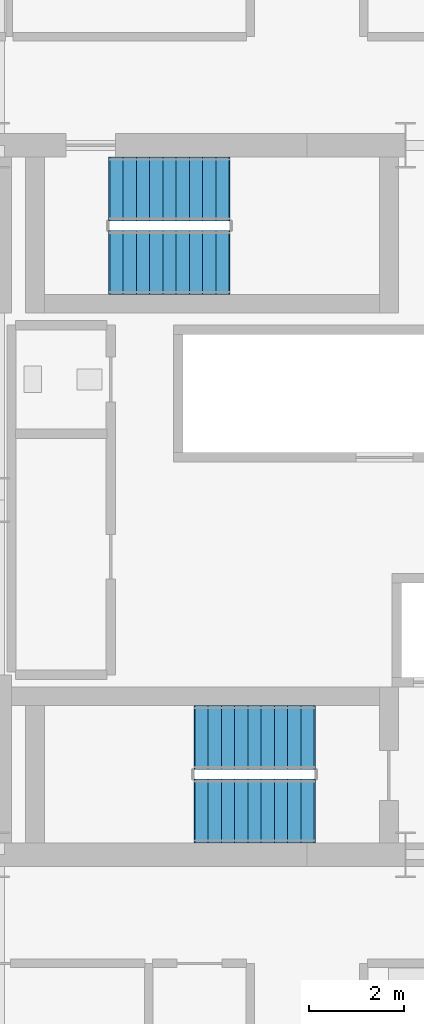
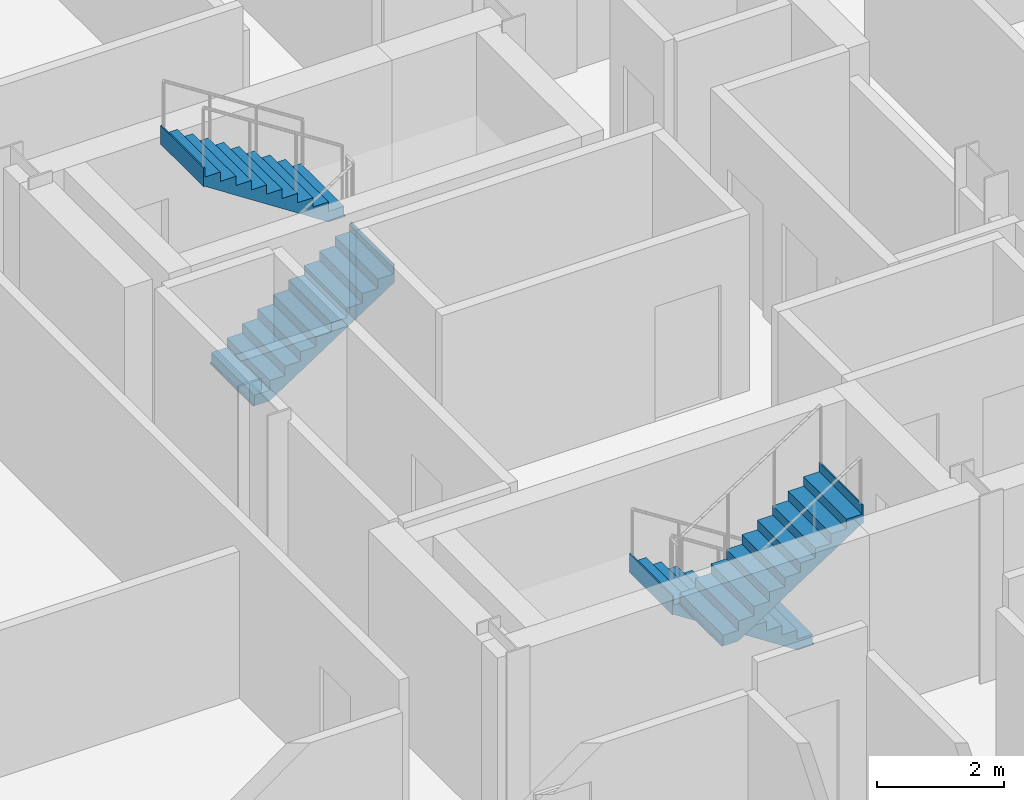
# One storey, part 18 of 20: 4 stair flights, 2 elements without a shape of their own.
"""IFC4 building model written with IfcOpenShell, lengths in metres."""

import ifcopenshell
import ifcopenshell.guid

model = None  # the IFC model being written
_history = None  # IfcOwnerHistory: only IFC2X3 demands one
_inside = {}  # id of a spatial element -> (the spatial element, [elements in it])
_under = {}  # id of a project, library or spatial element -> (it, [spatial elements below it])
_declared = {}  # id of a project -> (the project, [libraries it declares])
_typed = {}  # id of a type object -> (the type object, [elements of that type])
_made_of = {}  # id of a material, layer set ... -> (it, [elements and type objects made of it])


def new_model(schema):
    """Start an empty IFC model of exactly this schema.

    Asked for "IFC4X3", IfcOpenShell would pick the latest addendum, in which some entities
    have other attributes; the version numbers below select the first issue.
    IFC2X3 requires an IfcOwnerHistory on every rooted entity: one is made here for all.
    """
    global model, _history
    if schema == "IFC4X3":
        model = ifcopenshell.file(schema_version=(4, 3, 0, 0))
    else:
        model = ifcopenshell.file(schema=schema)
    _inside.clear()
    _under.clear()
    _declared.clear()
    _typed.clear()
    _made_of.clear()
    _history = None
    if model.schema == "IFC2X3":
        org = make("IfcOrganization", Name="unknown")
        user = make(
            "IfcPersonAndOrganization",
            ThePerson=make("IfcPerson", FamilyName="unknown"),
            TheOrganization=org,
        )
        app = make(
            "IfcApplication",
            ApplicationDeveloper=org,
            Version="unknown",
            ApplicationFullName="unknown",
            ApplicationIdentifier="unknown",
        )
        _history = make(
            "IfcOwnerHistory",
            OwningUser=user,
            OwningApplication=app,
            ChangeAction="ADDED",
            CreationDate=0,
        )
    return model


def make(cls, **values):
    """One entity of the class cls with the attributes given. An attribute that is None is left unset."""
    return model.create_entity(
        cls, **{name: value for name, value in values.items() if value is not None}
    )


def rooted(cls, **values):
    """An entity with a GlobalId (a new one), such as an element, a storey or a relation."""
    return make(cls, GlobalId=ifcopenshell.guid.new(), OwnerHistory=_history, **values)


def si_unit(unit_type, name, prefix=None):
    """IfcSIUnit, for example si_unit("LENGTHUNIT", "METRE", prefix="MILLI")."""
    return make("IfcSIUnit", UnitType=unit_type, Prefix=prefix, Name=name)


def assignment(units):
    """IfcUnitAssignment: the units of a project."""
    return None if units is None else make("IfcUnitAssignment", Units=units)


def point(xyz):
    """IfcCartesianPoint."""
    return None if xyz is None else make("IfcCartesianPoint", Coordinates=xyz)


def direction(xyz):
    """IfcDirection."""
    return None if xyz is None else make("IfcDirection", DirectionRatios=xyz)


def frame(location, z_axis=None, x_axis=None):
    """IfcAxis2Placement3D, a coordinate frame: its origin and axes. An axis left out is left unset."""
    return make(
        "IfcAxis2Placement3D",
        Location=point(location),
        Axis=direction(z_axis),
        RefDirection=direction(x_axis),
    )


def origin():
    """The frame at (0, 0, 0) with its axes left unset."""
    return frame((0.0, 0.0, 0.0))


def place(relative_to, where):
    """IfcLocalPlacement: puts the frame where relative to a parent placement (None: the world)."""
    return make(
        "IfcLocalPlacement", PlacementRelTo=relative_to, RelativePlacement=where
    )


def context(
    kind, dimensions, precision=None, world=None, true_north=None, identifier=None
):
    """IfcGeometricRepresentationContext, for example the 3D "Model" context."""
    return make(
        "IfcGeometricRepresentationContext",
        ContextIdentifier=identifier,
        ContextType=kind,
        CoordinateSpaceDimension=dimensions,
        Precision=precision,
        WorldCoordinateSystem=world,
        TrueNorth=true_north,
    )


def subcontext(parent, identifier, kind, view, scale=None):
    """IfcGeometricRepresentationSubContext, for example "Body" below "Model"."""
    return make(
        "IfcGeometricRepresentationSubContext",
        ContextIdentifier=identifier,
        ContextType=kind,
        ParentContext=parent,
        TargetScale=scale,
        TargetView=view,
    )


def project(units=None, contexts=None):
    """IfcProject with its units and contexts."""
    return rooted(
        "IfcProject",
        Name="project",
        RepresentationContexts=contexts,
        UnitsInContext=assignment(units),
    )


def spatial(cls, under=None, at=None, **own):
    """A site, building, storey or space (cls), placed at a placement, below another one or the project."""
    s = rooted(cls, ObjectPlacement=at, **own)
    if under is not None:
        _under.setdefault(under.id(), (under, []))[1].append(s)
    return s


def polyline(points):
    """IfcPolyline through the points."""
    return make("IfcPolyline", Points=[point(p) for p in points])


def outline(outer, holes=None, kind="AREA"):
    """IfcArbitraryClosedProfileDef: a profile drawn as a closed curve; with holes, ...WithVoids."""
    if holes is None:
        return make("IfcArbitraryClosedProfileDef", ProfileType=kind, OuterCurve=outer)
    return make(
        "IfcArbitraryProfileDefWithVoids",
        ProfileType=kind,
        OuterCurve=outer,
        InnerCurves=holes,
    )


def extrude(swept, where, along, depth):
    """IfcExtrudedAreaSolid: the profile swept, set in the frame where, extruded along a direction by depth."""
    return make(
        "IfcExtrudedAreaSolid",
        SweptArea=swept,
        Position=where,
        ExtrudedDirection=direction(along),
        Depth=depth,
    )


def shape(context_of_items, identifier, shape_type, items):
    """IfcShapeRepresentation: the items that make up one representation, for example the "Body"."""
    return make(
        "IfcShapeRepresentation",
        ContextOfItems=context_of_items,
        RepresentationIdentifier=identifier,
        RepresentationType=shape_type,
        Items=items,
    )


def material(Name=None, Category=None):
    """IfcMaterial."""
    return make("IfcMaterial", Name=Name, Category=Category)


def made_of(thing, what):
    """Note that an element or type object is made of a material, layer set ...; save() writes the relation."""
    if what is not None:
        _made_of.setdefault(what.id(), (what, []))[1].append(thing)
    return thing


def type_object(cls, material=None, **own):
    """A type object (cls), such as IfcWallType, which elements share."""
    return made_of(rooted(cls, **own), material)


def element(
    cls,
    number,
    at=None,
    inside=None,
    cuts=None,
    type_object=None,
    material=None,
    context=None,
    identifier="Body",
    shape_type=None,
    held_by="IfcProductDefinitionShape",
    body=None,
    shapes=None,
    **own,
):
    """One element of the class cls, such as IfcWall. Its Tag is "e" and its number.

    at: its placement. inside: the storey or other place that contains it. cuts: it is an
    opening in that element (IfcRelVoidsElement). A single representation is given by context,
    identifier, shape_type and body (its items); several are given by shapes. held_by: the class
    of the entity that holds the representations. save() writes the other relations.
    """
    e = rooted(cls, Tag="e%d" % number, ObjectPlacement=at, **own)
    if body is not None:
        shapes = [shape(context, identifier, shape_type, body)]
    if shapes is not None:
        e.Representation = make(held_by, Representations=shapes)
    if inside is not None:
        _inside.setdefault(inside.id(), (inside, []))[1].append(e)
    if cuts is not None:
        rooted(
            "IfcRelVoidsElement", RelatingBuildingElement=cuts, RelatedOpeningElement=e
        )
    if type_object is not None:
        _typed.setdefault(type_object.id(), (type_object, []))[1].append(e)
    return made_of(e, material)


def aggregate(whole, parts):
    """IfcRelAggregates: a whole, such as a stair, and the parts it consists of."""
    return rooted("IfcRelAggregates", RelatingObject=whole, RelatedObjects=parts)


def save(model, path):
    """Write the relations noted so far, then the file.

    IfcRelAggregates (storeys below a building ...), IfcRelContainedInSpatialStructure (elements
    in a storey), IfcRelDefinesByType, IfcRelAssociatesMaterial and IfcRelDeclares: one each for
    every whole, place, type object, material and project.
    """
    for whole, parts in _under.values():
        aggregate(whole, parts)
    for where, things in _inside.values():
        rooted(
            "IfcRelContainedInSpatialStructure",
            RelatedElements=things,
            RelatingStructure=where,
        )
    for kind, things in _typed.values():
        rooted("IfcRelDefinesByType", RelatedObjects=things, RelatingType=kind)
    for what, things in _made_of.values():
        rooted("IfcRelAssociatesMaterial", RelatedObjects=things, RelatingMaterial=what)
    for by, libraries in _declared.values():
        rooted("IfcRelDeclares", RelatingContext=by, RelatedDefinitions=libraries)
    model.write(path)


model = new_model("IFC4")

# Units and contexts
model_context = context("Model", 3, precision=1e-05, world=origin(), true_north=direction((0.0, 1.0)))
body_context = subcontext(model_context, "Body", "Model", "MODEL_VIEW")
ifc_project = project(units=[si_unit("LENGTHUNIT", "METRE"), si_unit("AREAUNIT", "SQUARE_METRE"), si_unit("VOLUMEUNIT", "CUBIC_METRE"), si_unit("PLANEANGLEUNIT", "RADIAN"), si_unit("MASSUNIT", "GRAM", prefix="KILO")], contexts=[model_context])

# Site, building, storey
site_placement = place(None, origin())
site = spatial("IfcSite", under=ifc_project, at=site_placement, CompositionType="ELEMENT")
building_placement = place(site_placement, origin())
building = spatial("IfcBuilding", under=site, at=building_placement, Name="Barlavira Tower and Art Museum", CompositionType="ELEMENT")
storey_placement = place(building_placement, frame((0.0, 0.0, 147.60009765625)))
storey = spatial("IfcBuildingStorey", under=building, at=storey_placement, Name="L37", CompositionType="ELEMENT", Elevation=147.60009765625)

# Stair, stair flights
ifc_material_1 = material(Name="Concrete C45", Category="concrete")
stair_type_1 = type_object("IfcStairType", Name="Tower North Dog-Leg Exit Stair Assembly Concrete C45", PredefinedType="TWO_QUARTER_TURN_STAIR", material=ifc_material_1)
stair_1_placement = place(storey_placement, origin())
stair_1 = element("IfcStair", 1, at=stair_1_placement, inside=storey, type_object=stair_type_1, Name="L37 Tower North Exit Stair ST-T2", PredefinedType="TWO_QUARTER_TURN_STAIR")
ifc_material_2 = material(Name="Precast concrete C45", Category="concrete")
stair_flight_type_1 = type_object("IfcStairFlightType", Name="Tower North Dog-Leg Exit Stair Precast Flight 1350 Concrete C45", PredefinedType="STRAIGHT", material=ifc_material_2)
stair_flight_1_placement = place(storey_placement, frame((-4.169921875, 5.02490234375, 0.0), z_axis=(0.0, 0.0, 1.0), x_axis=(1.0, 0.0, 0.0)))
stair_flight_1 = element("IfcStairFlight", 2, at=stair_flight_1_placement, type_object=stair_flight_type_1, Name="ST-T2 flight 1", NumberOfRisers=10, NumberOfTreads=9, PredefinedType="STRAIGHT", RiserHeight=0.18, TreadLength=0.28, context=body_context, shape_type="SweptSolid", body=[
    extrude(outline(polyline([(-0.02490234375, 0.0), (0.0, 0.0), (0.0, 0.179931640625), (0.280029296875, 0.179931640625), (0.280029296875, 0.360107421875), (0.56005859375, 0.360107421875), (0.56005859375, 0.5400390625), (0.840087890625, 0.5400390625), (0.840087890625, 0.719970703125), (1.1201171875, 0.719970703125), (1.1201171875, 0.89990234375), (1.39990234375, 0.89990234375), (1.39990234375, 1.080078125), (1.679931640625, 1.080078125), (1.679931640625, 1.260009765625), (1.9599609375, 1.260009765625), (1.9599609375, 1.43994140625), (2.239990234375, 1.43994140625), (2.239990234375, 1.6201171875), (2.52001953125, 1.6201171875), (2.52001953125, 1.800048828125), (2.544921875, 1.800048828125), (2.544921875, 1.44189453125), (2.52001953125, 1.44189453125), (0.277099609375, -0.02490234375), (-0.02490234375, -0.02490234375), (-0.02490234375, 0.0)])), frame((0.0, 0.675048828125, 0.0), z_axis=(0.0, -1.0, 0.0), x_axis=(1.0, 0.0, 0.0)), (0.0, 0.0, 1.0), 1.35009765625),
])
stair_flight_2_placement = place(storey_placement, frame((-1.64990234375, 6.574951171875, 1.7998046875), z_axis=(0.0, 0.0, 1.0), x_axis=(-1.0, 0.0, 0.0)))
stair_flight_2 = element("IfcStairFlight", 3, at=stair_flight_2_placement, type_object=stair_flight_type_1, Name="ST-T2 flight 2", NumberOfRisers=10, NumberOfTreads=9, PredefinedType="STRAIGHT", RiserHeight=0.18, TreadLength=0.28, context=body_context, shape_type="SweptSolid", body=[
    extrude(outline(polyline([(-0.02490234375, 0.0), (0.0, 0.0), (0.0, 0.179931640625), (0.280029296875, 0.179931640625), (0.280029296875, 0.360107421875), (0.56005859375, 0.360107421875), (0.56005859375, 0.5400390625), (0.840087890625, 0.5400390625), (0.840087890625, 0.719970703125), (1.1201171875, 0.719970703125), (1.1201171875, 0.89990234375), (1.39990234375, 0.89990234375), (1.39990234375, 1.080078125), (1.679931640625, 1.080078125), (1.679931640625, 1.260009765625), (1.9599609375, 1.260009765625), (1.9599609375, 1.43994140625), (2.239990234375, 1.43994140625), (2.239990234375, 1.6201171875), (2.52001953125, 1.6201171875), (2.52001953125, 1.800048828125), (2.544921875, 1.800048828125), (2.544921875, 1.44189453125), (2.52001953125, 1.44189453125), (0.277099609375, -0.02490234375), (-0.02490234375, -0.02490234375), (-0.02490234375, 0.0)])), frame((0.0, 0.675048828125, 0.0), z_axis=(0.0, -1.0, 0.0), x_axis=(1.0, 0.0, 0.0)), (0.0, 0.0, 1.0), 1.35009765625),
])
aggregate(stair_1, [stair_flight_1, stair_flight_2])

stair_type_2 = type_object("IfcStairType", Name="Tower South Dog-Leg Exit Stair Assembly Concrete C45", PredefinedType="TWO_QUARTER_TURN_STAIR", material=ifc_material_1)
stair_2_placement = place(storey_placement, origin())
stair_2 = element("IfcStair", 4, at=stair_2_placement, inside=storey, type_object=stair_type_2, Name="L37 Tower South Exit Stair ST-T1", PredefinedType="TWO_QUARTER_TURN_STAIR")
stair_flight_type_2 = type_object("IfcStairFlightType", Name="Tower South Dog-Leg Exit Stair Precast Flight 1350 Concrete C45", PredefinedType="STRAIGHT", material=ifc_material_2)
stair_flight_3_placement = place(storey_placement, frame((0.14990234375, -5.02490234375, 0.0), z_axis=(0.0, 0.0, 1.0), x_axis=(-1.0, 0.0, 0.0)))
stair_flight_3 = element("IfcStairFlight", 5, at=stair_flight_3_placement, type_object=stair_flight_type_2, Name="ST-T1 flight 1", NumberOfRisers=10, NumberOfTreads=9, PredefinedType="STRAIGHT", RiserHeight=0.18, TreadLength=0.28, context=body_context, shape_type="SweptSolid", body=[
    extrude(outline(polyline([(-0.02490234375, 0.0), (0.0, 0.0), (0.0, 0.179931640625), (0.280029296875, 0.179931640625), (0.280029296875, 0.360107421875), (0.56005859375, 0.360107421875), (0.56005859375, 0.5400390625), (0.840087890625, 0.5400390625), (0.840087890625, 0.719970703125), (1.1201171875, 0.719970703125), (1.1201171875, 0.89990234375), (1.39990234375, 0.89990234375), (1.39990234375, 1.080078125), (1.679931640625, 1.080078125), (1.679931640625, 1.260009765625), (1.9599609375, 1.260009765625), (1.9599609375, 1.43994140625), (2.239990234375, 1.43994140625), (2.239990234375, 1.6201171875), (2.52001953125, 1.6201171875), (2.52001953125, 1.800048828125), (2.544921875, 1.800048828125), (2.544921875, 1.44189453125), (2.52001953125, 1.44189453125), (0.277099609375, -0.02490234375), (-0.02490234375, -0.02490234375), (-0.02490234375, 0.0)])), frame((0.0, 0.675048828125, 0.0), z_axis=(0.0, -1.0, 0.0), x_axis=(1.0, 0.0, 0.0)), (0.0, 0.0, 1.0), 1.35009765625),
])
stair_flight_4_placement = place(storey_placement, frame((-2.3701171875, -6.574951171875, 1.7998046875), z_axis=(0.0, 0.0, 1.0), x_axis=(1.0, 0.0, 0.0)))
stair_flight_4 = element("IfcStairFlight", 6, at=stair_flight_4_placement, type_object=stair_flight_type_2, Name="ST-T1 flight 2", NumberOfRisers=10, NumberOfTreads=9, PredefinedType="STRAIGHT", RiserHeight=0.18, TreadLength=0.28, context=body_context, shape_type="SweptSolid", body=[
    extrude(outline(polyline([(-0.02490234375, 0.0), (0.0, 0.0), (0.0, 0.179931640625), (0.280029296875, 0.179931640625), (0.280029296875, 0.360107421875), (0.56005859375, 0.360107421875), (0.56005859375, 0.5400390625), (0.840087890625, 0.5400390625), (0.840087890625, 0.719970703125), (1.1201171875, 0.719970703125), (1.1201171875, 0.89990234375), (1.39990234375, 0.89990234375), (1.39990234375, 1.080078125), (1.679931640625, 1.080078125), (1.679931640625, 1.260009765625), (1.9599609375, 1.260009765625), (1.9599609375, 1.43994140625), (2.239990234375, 1.43994140625), (2.239990234375, 1.6201171875), (2.52001953125, 1.6201171875), (2.52001953125, 1.800048828125), (2.544921875, 1.800048828125), (2.544921875, 1.44189453125), (2.52001953125, 1.44189453125), (0.277099609375, -0.02490234375), (-0.02490234375, -0.02490234375), (-0.02490234375, 0.0)])), frame((0.0, 0.675048828125, 0.0), z_axis=(0.0, -1.0, 0.0), x_axis=(1.0, 0.0, 0.0)), (0.0, 0.0, 1.0), 1.35009765625),
])
aggregate(stair_2, [stair_flight_3, stair_flight_4])

save(model, "model.ifc")
